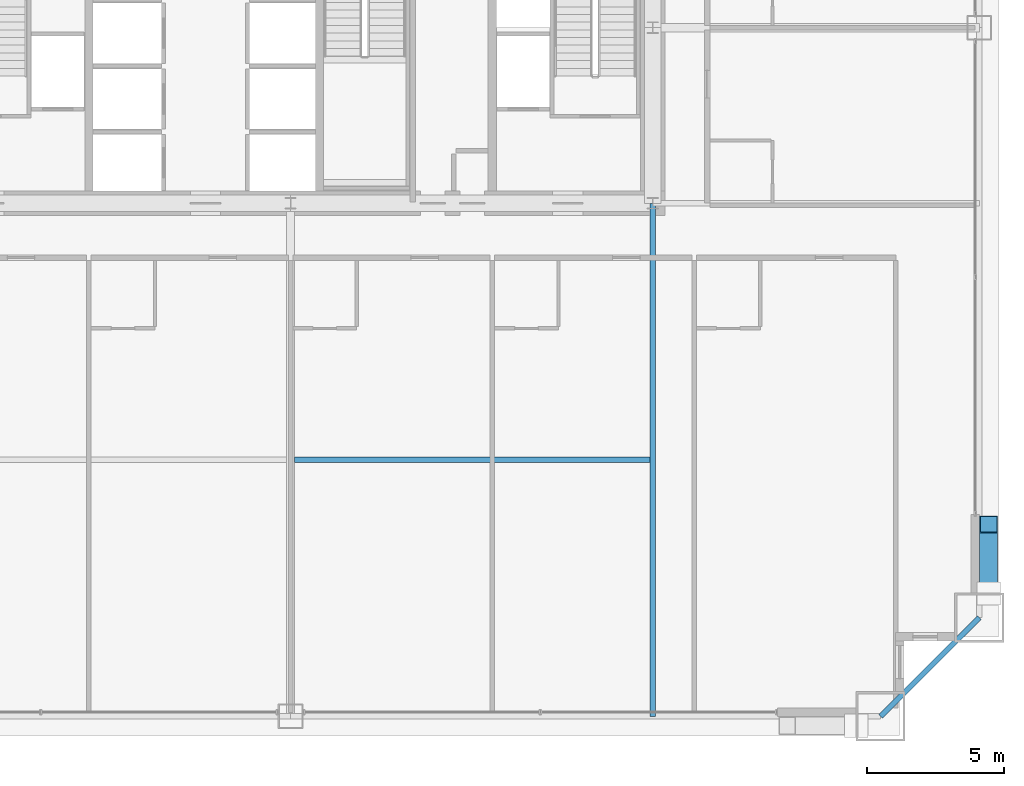
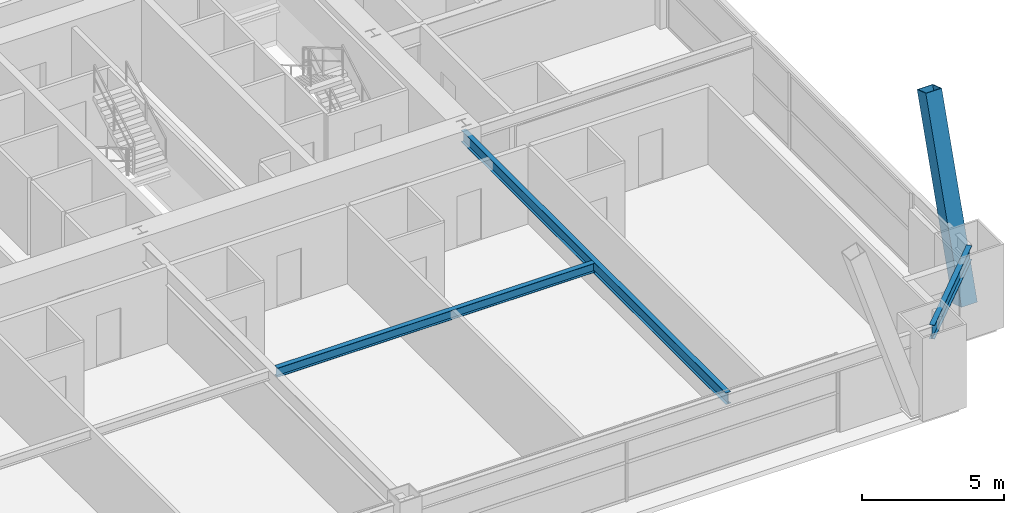
# One storey, part 16 of 43: 3 beams, 1 member.
"""IFC4 building model written with IfcOpenShell, lengths in metres."""

import ifcopenshell
import ifcopenshell.guid

model = None  # the IFC model being written
_history = None  # IfcOwnerHistory: only IFC2X3 demands one
_inside = {}  # id of a spatial element -> (the spatial element, [elements in it])
_under = {}  # id of a project, library or spatial element -> (it, [spatial elements below it])
_declared = {}  # id of a project -> (the project, [libraries it declares])
_typed = {}  # id of a type object -> (the type object, [elements of that type])
_made_of = {}  # id of a material, layer set ... -> (it, [elements and type objects made of it])


def new_model(schema):
    """Start an empty IFC model of exactly this schema.

    Asked for "IFC4X3", IfcOpenShell would pick the latest addendum, in which some entities
    have other attributes; the version numbers below select the first issue.
    IFC2X3 requires an IfcOwnerHistory on every rooted entity: one is made here for all.
    """
    global model, _history
    if schema == "IFC4X3":
        model = ifcopenshell.file(schema_version=(4, 3, 0, 0))
    else:
        model = ifcopenshell.file(schema=schema)
    _inside.clear()
    _under.clear()
    _declared.clear()
    _typed.clear()
    _made_of.clear()
    _history = None
    if model.schema == "IFC2X3":
        org = make("IfcOrganization", Name="unknown")
        user = make(
            "IfcPersonAndOrganization",
            ThePerson=make("IfcPerson", FamilyName="unknown"),
            TheOrganization=org,
        )
        app = make(
            "IfcApplication",
            ApplicationDeveloper=org,
            Version="unknown",
            ApplicationFullName="unknown",
            ApplicationIdentifier="unknown",
        )
        _history = make(
            "IfcOwnerHistory",
            OwningUser=user,
            OwningApplication=app,
            ChangeAction="ADDED",
            CreationDate=0,
        )
    return model


def make(cls, **values):
    """One entity of the class cls with the attributes given. An attribute that is None is left unset."""
    return model.create_entity(
        cls, **{name: value for name, value in values.items() if value is not None}
    )


def rooted(cls, **values):
    """An entity with a GlobalId (a new one), such as an element, a storey or a relation."""
    return make(cls, GlobalId=ifcopenshell.guid.new(), OwnerHistory=_history, **values)


def si_unit(unit_type, name, prefix=None):
    """IfcSIUnit, for example si_unit("LENGTHUNIT", "METRE", prefix="MILLI")."""
    return make("IfcSIUnit", UnitType=unit_type, Prefix=prefix, Name=name)


def assignment(units):
    """IfcUnitAssignment: the units of a project."""
    return None if units is None else make("IfcUnitAssignment", Units=units)


def point(xyz):
    """IfcCartesianPoint."""
    return None if xyz is None else make("IfcCartesianPoint", Coordinates=xyz)


def direction(xyz):
    """IfcDirection."""
    return None if xyz is None else make("IfcDirection", DirectionRatios=xyz)


def frame(location, z_axis=None, x_axis=None):
    """IfcAxis2Placement3D, a coordinate frame: its origin and axes. An axis left out is left unset."""
    return make(
        "IfcAxis2Placement3D",
        Location=point(location),
        Axis=direction(z_axis),
        RefDirection=direction(x_axis),
    )


def frame_2d(location, x_axis=None):
    """IfcAxis2Placement2D, a coordinate frame in the plane: its origin and x axis."""
    return make(
        "IfcAxis2Placement2D", Location=point(location), RefDirection=direction(x_axis)
    )


def origin():
    """The frame at (0, 0, 0) with its axes left unset."""
    return frame((0.0, 0.0, 0.0))


def origin_2d():
    """The frame at (0, 0) in the plane with its x axis left unset."""
    return frame_2d((0.0, 0.0))


def place(relative_to, where):
    """IfcLocalPlacement: puts the frame where relative to a parent placement (None: the world)."""
    return make(
        "IfcLocalPlacement", PlacementRelTo=relative_to, RelativePlacement=where
    )


def context(
    kind, dimensions, precision=None, world=None, true_north=None, identifier=None
):
    """IfcGeometricRepresentationContext, for example the 3D "Model" context."""
    return make(
        "IfcGeometricRepresentationContext",
        ContextIdentifier=identifier,
        ContextType=kind,
        CoordinateSpaceDimension=dimensions,
        Precision=precision,
        WorldCoordinateSystem=world,
        TrueNorth=true_north,
    )


def subcontext(parent, identifier, kind, view, scale=None):
    """IfcGeometricRepresentationSubContext, for example "Body" below "Model"."""
    return make(
        "IfcGeometricRepresentationSubContext",
        ContextIdentifier=identifier,
        ContextType=kind,
        ParentContext=parent,
        TargetScale=scale,
        TargetView=view,
    )


def project(units=None, contexts=None):
    """IfcProject with its units and contexts."""
    return rooted(
        "IfcProject",
        Name="project",
        RepresentationContexts=contexts,
        UnitsInContext=assignment(units),
    )


def spatial(cls, under=None, at=None, **own):
    """A site, building, storey or space (cls), placed at a placement, below another one or the project."""
    s = rooted(cls, ObjectPlacement=at, **own)
    if under is not None:
        _under.setdefault(under.id(), (under, []))[1].append(s)
    return s


def profile(cls, at=None, kind="AREA", **sizes):
    """A parametric profile (cls). Its sizes go by their IFC names, for example OverallWidth=200.0."""
    return make(cls, ProfileType=kind, Position=at, **sizes)


def hollow_rectangle(**sizes):
    """IfcRectangleHollowProfileDef."""
    return profile("IfcRectangleHollowProfileDef", **sizes)


def i_section(**sizes):
    """IfcIShapeProfileDef."""
    return profile("IfcIShapeProfileDef", **sizes)


def extrude(swept, where, along, depth):
    """IfcExtrudedAreaSolid: the profile swept, set in the frame where, extruded along a direction by depth."""
    return make(
        "IfcExtrudedAreaSolid",
        SweptArea=swept,
        Position=where,
        ExtrudedDirection=direction(along),
        Depth=depth,
    )


def shape(context_of_items, identifier, shape_type, items):
    """IfcShapeRepresentation: the items that make up one representation, for example the "Body"."""
    return make(
        "IfcShapeRepresentation",
        ContextOfItems=context_of_items,
        RepresentationIdentifier=identifier,
        RepresentationType=shape_type,
        Items=items,
    )


def source(mapping_origin, context_of_items, identifier, shape_type, items):
    """IfcRepresentationMap: a shape defined once, which mapped items show again and again."""
    return make(
        "IfcRepresentationMap",
        MappingOrigin=mapping_origin,
        MappedRepresentation=shape(context_of_items, identifier, shape_type, items),
    )


def transform(
    local_origin,
    x_axis=None,
    y_axis=None,
    z_axis=None,
    scale=None,
    scale2=None,
    scale3=None,
    uniform=True,
):
    """IfcCartesianTransformationOperator3D, or its non-uniform kind. x_axis, y_axis, z_axis: its Axis1, 2, 3."""
    if uniform:
        return make(
            "IfcCartesianTransformationOperator3D",
            Axis1=direction(x_axis),
            Axis2=direction(y_axis),
            LocalOrigin=point(local_origin),
            Scale=scale,
            Axis3=direction(z_axis),
        )
    return make(
        "IfcCartesianTransformationOperator3DnonUniform",
        Axis1=direction(x_axis),
        Axis2=direction(y_axis),
        LocalOrigin=point(local_origin),
        Scale=scale,
        Axis3=direction(z_axis),
        Scale2=scale2,
        Scale3=scale3,
    )


def mapped(mapping_source, mapping_target):
    """IfcMappedItem: shows the shape of a source again, moved by a transform."""
    return make(
        "IfcMappedItem", MappingSource=mapping_source, MappingTarget=mapping_target
    )


def material(Name=None, Category=None):
    """IfcMaterial."""
    return make("IfcMaterial", Name=Name, Category=Category)


def material_profile(
    of_material, cross_section, Name=None, Category=None, Priority=None
):
    """IfcMaterialProfile: a cross section and its material."""
    return make(
        "IfcMaterialProfile",
        Name=Name,
        Material=of_material,
        Profile=cross_section,
        Priority=Priority,
        Category=Category,
    )


def profile_set(profiles, Name=None, composite=None):
    """IfcMaterialProfileSet."""
    return make(
        "IfcMaterialProfileSet",
        Name=Name,
        MaterialProfiles=profiles,
        CompositeProfile=composite,
    )


def made_of(thing, what):
    """Note that an element or type object is made of a material, layer set ...; save() writes the relation."""
    if what is not None:
        _made_of.setdefault(what.id(), (what, []))[1].append(thing)
    return thing


def type_object(cls, material=None, **own):
    """A type object (cls), such as IfcWallType, which elements share."""
    return made_of(rooted(cls, **own), material)


def element(
    cls,
    number,
    at=None,
    inside=None,
    cuts=None,
    type_object=None,
    material=None,
    context=None,
    identifier="Body",
    shape_type=None,
    held_by="IfcProductDefinitionShape",
    body=None,
    shapes=None,
    **own,
):
    """One element of the class cls, such as IfcWall. Its Tag is "e" and its number.

    at: its placement. inside: the storey or other place that contains it. cuts: it is an
    opening in that element (IfcRelVoidsElement). A single representation is given by context,
    identifier, shape_type and body (its items); several are given by shapes. held_by: the class
    of the entity that holds the representations. save() writes the other relations.
    """
    e = rooted(cls, Tag="e%d" % number, ObjectPlacement=at, **own)
    if body is not None:
        shapes = [shape(context, identifier, shape_type, body)]
    if shapes is not None:
        e.Representation = make(held_by, Representations=shapes)
    if inside is not None:
        _inside.setdefault(inside.id(), (inside, []))[1].append(e)
    if cuts is not None:
        rooted(
            "IfcRelVoidsElement", RelatingBuildingElement=cuts, RelatedOpeningElement=e
        )
    if type_object is not None:
        _typed.setdefault(type_object.id(), (type_object, []))[1].append(e)
    return made_of(e, material)


def aggregate(whole, parts):
    """IfcRelAggregates: a whole, such as a stair, and the parts it consists of."""
    return rooted("IfcRelAggregates", RelatingObject=whole, RelatedObjects=parts)


def save(model, path):
    """Write the relations noted so far, then the file.

    IfcRelAggregates (storeys below a building ...), IfcRelContainedInSpatialStructure (elements
    in a storey), IfcRelDefinesByType, IfcRelAssociatesMaterial and IfcRelDeclares: one each for
    every whole, place, type object, material and project.
    """
    for whole, parts in _under.values():
        aggregate(whole, parts)
    for where, things in _inside.values():
        rooted(
            "IfcRelContainedInSpatialStructure",
            RelatedElements=things,
            RelatingStructure=where,
        )
    for kind, things in _typed.values():
        rooted("IfcRelDefinesByType", RelatedObjects=things, RelatingType=kind)
    for what, things in _made_of.values():
        rooted("IfcRelAssociatesMaterial", RelatedObjects=things, RelatingMaterial=what)
    for by, libraries in _declared.values():
        rooted("IfcRelDeclares", RelatingContext=by, RelatedDefinitions=libraries)
    model.write(path)


model = new_model("IFC4")

# Units and contexts
model_context = context("Model", 3, precision=1e-05, world=origin(), true_north=direction((0.0, 1.0)))
body_context = subcontext(model_context, "Body", "Model", "MODEL_VIEW")
ifc_project = project(units=[si_unit("LENGTHUNIT", "METRE"), si_unit("AREAUNIT", "SQUARE_METRE"), si_unit("VOLUMEUNIT", "CUBIC_METRE"), si_unit("PLANEANGLEUNIT", "RADIAN"), si_unit("MASSUNIT", "GRAM", prefix="KILO"), si_unit("THERMODYNAMICTEMPERATUREUNIT", "KELVIN"), si_unit("POWERUNIT", "WATT")], contexts=[model_context])

# Site, building, storey
site_placement = place(None, origin())
site = spatial("IfcSite", under=ifc_project, at=site_placement, CompositionType="ELEMENT")
building_placement = place(site_placement, origin())
building = spatial("IfcBuilding", under=site, at=building_placement, Name="Yuzanri Waterfront Tower", CompositionType="ELEMENT")
storey_placement = place(building_placement, frame((0.0, 0.0, 37.800048828125)))
storey = spatial("IfcBuildingStorey", under=building, at=storey_placement, Name="L09", CompositionType="ELEMENT", Elevation=37.800048828125)

# Beams
ifc_material_1 = material(Name="Steel Q355B", Category="steel")
ifc_material_profile_1 = material_profile(ifc_material_1, i_section(OverallWidth=0.199951171875, OverallDepth=0.60009765625, WebThickness=0.010986328125, FlangeThickness=0.01708984375, at=origin_2d()), Name="HN 600x200x11x17")
ifc_profile_set_1 = profile_set([ifc_material_profile_1], Name="Steel Q355B")
beam_type_1 = type_object("IfcBeamType", Name="Perimeter Spandrel Q355B HN 600x200", PredefinedType="SPANDREL", material=ifc_profile_set_1)
shared_shape_1 = source(origin(), body_context, "Body", "SweptSolid", [
    extrude(i_section(OverallWidth=0.199951171875, OverallDepth=0.60009765625, WebThickness=0.010986328125, FlangeThickness=0.01708984375, at=origin_2d()), origin(), (0.0, 0.0, 1.0), 5.09130859375),
])
beam_1_placement = place(storey_placement, frame((58.5, 0.699951171875, 3.02001953125), z_axis=(0.707106781187, 0.707106781187, 0.0), x_axis=(-0.707106781187, 0.707106781187, 0.0)))
element("IfcBeam", 1, at=beam_1_placement, inside=storey, type_object=beam_type_1, Name="L09 Perimeter Spandrel S3-E1", PredefinedType="SPANDREL", context=body_context, shape_type="MappedRepresentation", body=[
    mapped(shared_shape_1, transform((0.0, 0.0, 0.0), scale=1.0)),
])
ifc_material_2 = material(Name="Steel Q355B", Category="steel")
ifc_material_profile_2 = material_profile(ifc_material_2, i_section(OverallWidth=0.199951171875, OverallDepth=0.5, WebThickness=0.010009765625, FlangeThickness=0.01611328125, at=origin_2d()), Name="HN 500x200x10x16")
ifc_profile_set_2 = profile_set([ifc_material_profile_2], Name="Steel Q355B")
beam_type_2 = type_object("IfcBeamType", Name="Secondary Floor Beam Q355B HN 500x200", PredefinedType="BEAM", material=ifc_profile_set_2)
shared_shape_2 = source(origin(), body_context, "Body", "SweptSolid", [
    extrude(i_section(OverallWidth=0.199951171875, OverallDepth=0.5, WebThickness=0.010009765625, FlangeThickness=0.01611328125, at=origin_2d()), origin(), (0.0, 0.0, 1.0), 18.699951171875),
])
beam_2_placement = place(storey_placement, frame((50.199951171875, 19.39990234375, 3.070068359375), z_axis=(0.0, -1.0, 0.0), x_axis=(1.0, 0.0, 0.0)))
element("IfcBeam", 2, at=beam_2_placement, inside=storey, type_object=beam_type_2, Name="L09 South-East Core Line Beam", PredefinedType="BEAM", context=body_context, shape_type="MappedRepresentation", body=[
    mapped(shared_shape_2, transform((0.0, 0.0, 0.0), scale=1.0)),
])
ifc_material_3 = material(Name="Steel Q355B", Category="steel")
ifc_material_profile_3 = material_profile(ifc_material_3, i_section(OverallWidth=0.199951171875, OverallDepth=0.39990234375, WebThickness=0.008056640625, FlangeThickness=0.012939453125, at=origin_2d()), Name="HN 400x200x8x13")
ifc_profile_set_3 = profile_set([ifc_material_profile_3], Name="Steel Q355B")
beam_type_3 = type_object("IfcBeamType", Name="Floor Joist Q355B HN 400x200", PredefinedType="JOIST", material=ifc_profile_set_3)
shared_shape_3 = source(origin(), body_context, "Body", "SweptSolid", [
    extrude(i_section(OverallWidth=0.199951171875, OverallDepth=0.39990234375, WebThickness=0.008056640625, FlangeThickness=0.012939453125, at=origin_2d()), origin(), (0.0, 0.0, 1.0), 12.9501953125),
])
beam_3_placement = place(storey_placement, frame((37.14990234375, 10.050048828125, 3.119873046875), z_axis=(1.0, 0.0, 0.0), x_axis=(0.0, 1.0, 0.0)))
element("IfcBeam", 3, at=beam_3_placement, inside=storey, type_object=beam_type_3, Name="L09 South Bay Joist E", PredefinedType="JOIST", context=body_context, shape_type="MappedRepresentation", body=[
    mapped(shared_shape_3, transform((0.0, 0.0, 0.0), scale=1.0)),
])

# Member
ifc_material_4 = material(Name="Steel Q420GJC", Category="steel")
ifc_material_profile_4 = material_profile(ifc_material_4, hollow_rectangle(XDim=0.64990234375, YDim=0.64990234375, WallThickness=0.028076171875, at=origin_2d()), Name="RHS 650x650x28")
ifc_profile_set_4 = profile_set([ifc_material_profile_4], Name="Steel Q420GJC")
member_type = type_object("IfcMemberType", Name="Mega Brace Lower Q420GJC RHS 650x650x28", PredefinedType="BRACE", material=ifc_profile_set_4)
shared_shape_4 = source(origin(), body_context, "Body", "SweptSolid", [
    extrude(hollow_rectangle(XDim=0.64990234375, YDim=0.64990234375, WallThickness=0.028076171875, at=origin_2d()), origin(), (0.0, 0.0, 1.0), 8.101806640625),
])
member_placement = place(storey_placement, frame((62.43994140625, 5.179931640625, 0.179931640625), z_axis=(0.0, 0.311043019491, 0.950395833338), x_axis=(-1.0, 0.0, 0.0)))
element("IfcMember", 4, at=member_placement, inside=storey, type_object=member_type, Name="L09-L10 Perimeter Mega-Brace E-L", PredefinedType="BRACE", context=body_context, shape_type="MappedRepresentation", body=[
    mapped(shared_shape_4, transform((0.0, 0.0, 0.0), scale=1.0)),
])

save(model, "model.ifc")
